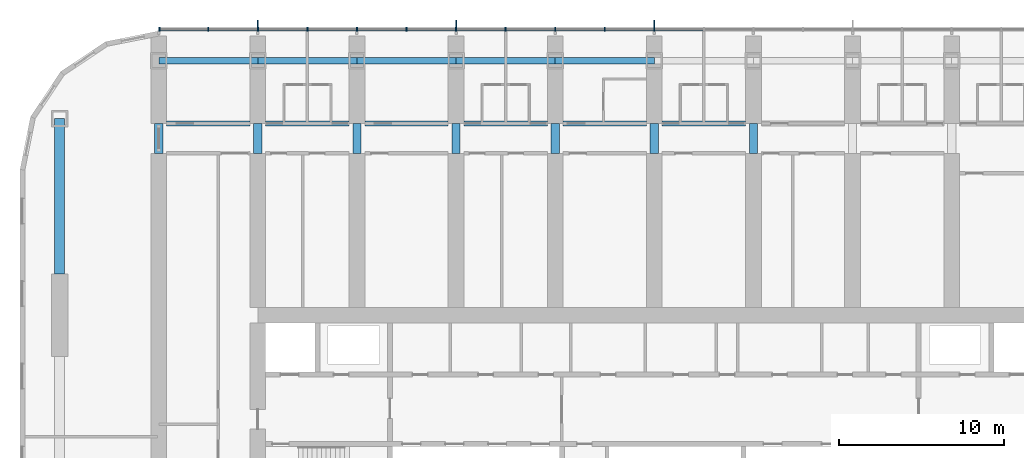
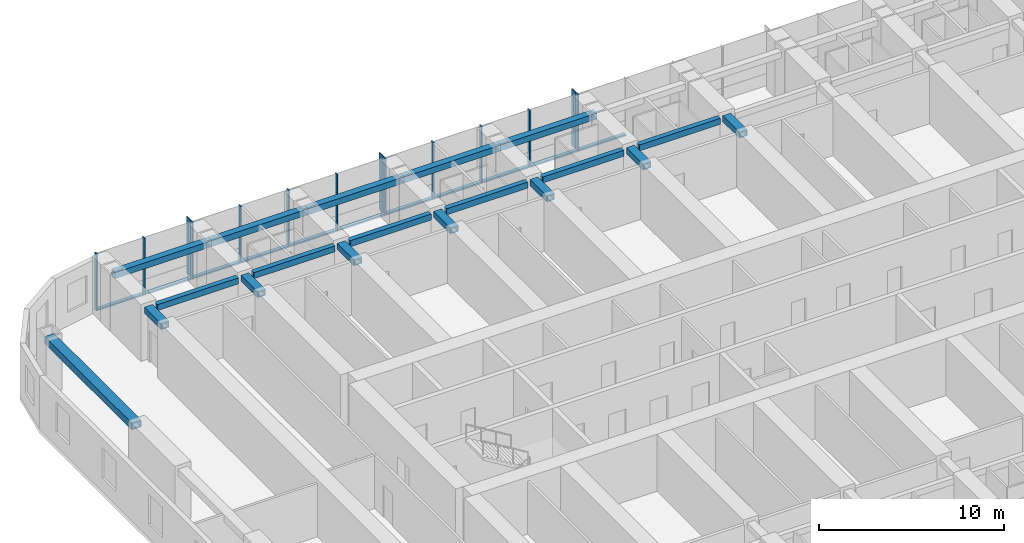
# One storey, part 4 of 21: 25 members, 19 beams, 1 element without a shape of its own.
"""IFC4 building model written with IfcOpenShell, lengths in metres."""

from ifc_helpers import new_model, si_unit, direction, frame, origin, origin_2d, place, context, subcontext, project, spatial, rectangle, hollow_rectangle, extrude, material, material_profile, profile_set, type_object, element, aggregate, save


model = new_model("IFC4")

# Units and contexts
model_context = context("Model", 3, precision=1e-05, world=origin(), true_north=direction((0.0, 1.0)))
body_context = subcontext(model_context, "Body", "Model", "MODEL_VIEW")
ifc_project = project(units=[si_unit("LENGTHUNIT", "METRE"), si_unit("AREAUNIT", "SQUARE_METRE"), si_unit("VOLUMEUNIT", "CUBIC_METRE"), si_unit("PLANEANGLEUNIT", "RADIAN"), si_unit("MASSUNIT", "GRAM", prefix="KILO")], contexts=[model_context])

# Site, building, storey
site_placement = place(None, origin())
site = spatial("IfcSite", under=ifc_project, at=site_placement, CompositionType="ELEMENT")
building_placement = place(site_placement, origin())
building = spatial("IfcBuilding", under=site, at=building_placement, Name="Orbita Commons", CompositionType="ELEMENT")
storey_placement = place(building_placement, frame((0.0, 0.0, 91.89990234375)))
storey = spatial("IfcBuildingStorey", under=building, at=storey_placement, Name="L22", CompositionType="ELEMENT", Elevation=91.89990234375)

# Curtain wall, members
ifc_material_1 = material(Name="Anodised aluminium frame, pale silver", Category="aluminium")
curtain_wall_type = type_object("IfcCurtainWallType", Name="Unitised curtain wall CW-T, vision and spandrel", PredefinedType="NOTDEFINED", material=ifc_material_1)
curtain_wall_placement = place(storey_placement, origin())
curtain_wall = element("IfcCurtainWall", 1, at=curtain_wall_placement, inside=storey, type_object=curtain_wall_type, Name="Curtain wall north L22", PredefinedType="NOTDEFINED")
ifc_material_2 = material(Name="Anodised aluminium, pale silver", Category="aluminium")
ifc_material_profile_1 = material_profile(ifc_material_2, rectangle(XDim=0.080078125, YDim=0.219970703125, at=origin_2d()), Name="AL 80x220")
ifc_profile_set_1 = profile_set([ifc_material_profile_1], Name="Anodised aluminium, pale silver")
member_type_1 = type_object("IfcMemberType", Name="Curtain wall mullion 80x220", PredefinedType="MULLION", material=ifc_profile_set_1)
member_1_placement = place(storey_placement, frame((42.0, 55.510009765625, -0.25), z_axis=(0.0, 0.0, 1.0), x_axis=(-1.0, 0.0, 0.0)))
member_1 = element("IfcMember", 2, at=member_1_placement, type_object=member_type_1, Name="Mullion 9 CW-L22-N", PredefinedType="MULLION", context=body_context, shape_type="SweptSolid", body=[
    extrude(rectangle(XDim=0.080078125, YDim=0.219970703125, at=origin_2d()), origin(), (0.0, 0.0, 1.0), 3.75),
])
member_2_placement = place(storey_placement, frame((39.0, 55.510009765625, -0.25), z_axis=(0.0, 0.0, 1.0), x_axis=(-1.0, 0.0, 0.0)))
member_2 = element("IfcMember", 3, at=member_2_placement, type_object=member_type_1, Name="Mullion 10 CW-L22-N", PredefinedType="MULLION", context=body_context, shape_type="SweptSolid", body=[
    extrude(rectangle(XDim=0.080078125, YDim=0.219970703125, at=origin_2d()), origin(), (0.0, 0.0, 1.0), 3.75),
])
member_3_placement = place(storey_placement, frame((36.0, 55.510009765625, -0.25), z_axis=(0.0, 0.0, 1.0), x_axis=(-1.0, 0.0, 0.0)))
member_3 = element("IfcMember", 4, at=member_3_placement, type_object=member_type_1, Name="Mullion 11 CW-L22-N", PredefinedType="MULLION", context=body_context, shape_type="SweptSolid", body=[
    extrude(rectangle(XDim=0.080078125, YDim=0.219970703125, at=origin_2d()), origin(), (0.0, 0.0, 1.0), 3.75),
])
member_4_placement = place(storey_placement, frame((33.0, 55.510009765625, -0.25), z_axis=(0.0, 0.0, 1.0), x_axis=(-1.0, 0.0, 0.0)))
member_4 = element("IfcMember", 5, at=member_4_placement, type_object=member_type_1, Name="Mullion 12 CW-L22-N", PredefinedType="MULLION", context=body_context, shape_type="SweptSolid", body=[
    extrude(rectangle(XDim=0.080078125, YDim=0.219970703125, at=origin_2d()), origin(), (0.0, 0.0, 1.0), 3.75),
])
member_5_placement = place(storey_placement, frame((30.0, 55.510009765625, -0.25), z_axis=(0.0, 0.0, 1.0), x_axis=(-1.0, 0.0, 0.0)))
member_5 = element("IfcMember", 6, at=member_5_placement, type_object=member_type_1, Name="Mullion 13 CW-L22-N", PredefinedType="MULLION", context=body_context, shape_type="SweptSolid", body=[
    extrude(rectangle(XDim=0.080078125, YDim=0.219970703125, at=origin_2d()), origin(), (0.0, 0.0, 1.0), 3.75),
])
member_6_placement = place(storey_placement, frame((27.0, 55.510009765625, -0.25), z_axis=(0.0, 0.0, 1.0), x_axis=(-1.0, 0.0, 0.0)))
member_6 = element("IfcMember", 7, at=member_6_placement, type_object=member_type_1, Name="Mullion 14 CW-L22-N", PredefinedType="MULLION", context=body_context, shape_type="SweptSolid", body=[
    extrude(rectangle(XDim=0.080078125, YDim=0.219970703125, at=origin_2d()), origin(), (0.0, 0.0, 1.0), 3.75),
])
member_7_placement = place(storey_placement, frame((24.0, 55.510009765625, -0.25), z_axis=(0.0, 0.0, 1.0), x_axis=(-1.0, 0.0, 0.0)))
member_7 = element("IfcMember", 8, at=member_7_placement, type_object=member_type_1, Name="Mullion 15 CW-L22-N", PredefinedType="MULLION", context=body_context, shape_type="SweptSolid", body=[
    extrude(rectangle(XDim=0.080078125, YDim=0.219970703125, at=origin_2d()), origin(), (0.0, 0.0, 1.0), 3.75),
])
member_8_placement = place(storey_placement, frame((21.0, 55.510009765625, -0.25), z_axis=(0.0, 0.0, 1.0), x_axis=(-1.0, 0.0, 0.0)))
member_8 = element("IfcMember", 9, at=member_8_placement, type_object=member_type_1, Name="Mullion 16 CW-L22-N", PredefinedType="MULLION", context=body_context, shape_type="SweptSolid", body=[
    extrude(rectangle(XDim=0.080078125, YDim=0.219970703125, at=origin_2d()), origin(), (0.0, 0.0, 1.0), 3.75),
])
member_9_placement = place(storey_placement, frame((18.0, 55.510009765625, -0.25), z_axis=(0.0, 0.0, 1.0), x_axis=(-1.0, 0.0, 0.0)))
member_9 = element("IfcMember", 10, at=member_9_placement, type_object=member_type_1, Name="Mullion 17 CW-L22-N", PredefinedType="MULLION", context=body_context, shape_type="SweptSolid", body=[
    extrude(rectangle(XDim=0.080078125, YDim=0.219970703125, at=origin_2d()), origin(), (0.0, 0.0, 1.0), 3.75),
])
member_10_placement = place(storey_placement, frame((15.0, 55.510009765625, -0.25), z_axis=(0.0, 0.0, 1.0), x_axis=(-1.0, 0.0, 0.0)))
member_10 = element("IfcMember", 11, at=member_10_placement, type_object=member_type_1, Name="Mullion 18 CW-L22-N", PredefinedType="MULLION", context=body_context, shape_type="SweptSolid", body=[
    extrude(rectangle(XDim=0.080078125, YDim=0.219970703125, at=origin_2d()), origin(), (0.0, 0.0, 1.0), 3.75),
])
member_11_placement = place(storey_placement, frame((12.0400390625, 55.510009765625, -0.25), z_axis=(0.0, 0.0, 1.0), x_axis=(-1.0, 0.0, 0.0)))
member_11 = element("IfcMember", 12, at=member_11_placement, type_object=member_type_1, Name="Mullion 19 CW-L22-N", PredefinedType="MULLION", context=body_context, shape_type="SweptSolid", body=[
    extrude(rectangle(XDim=0.080078125, YDim=0.219970703125, at=origin_2d()), origin(), (0.0, 0.0, 1.0), 3.75),
])
ifc_material_3 = material(Name="Anodised aluminium, pale silver", Category="aluminium")
ifc_material_profile_2 = material_profile(ifc_material_3, rectangle(XDim=0.219970703125, YDim=0.10009765625, at=origin_2d()), Name="AL 220x100")
ifc_profile_set_2 = profile_set([ifc_material_profile_2], Name="Anodised aluminium, pale silver")
member_type_2 = type_object("IfcMemberType", Name="Curtain wall stack transom 220x100", PredefinedType="USERDEFINED", material=ifc_profile_set_2)
member_12_placement = place(storey_placement, frame((44.9599609375, 55.510009765625, -0.199951171875), z_axis=(-1.0, 0.0, 0.0), x_axis=(0.0, -1.0, 0.0)))
member_12 = element("IfcMember", 13, at=member_12_placement, type_object=member_type_2, Name="Transom 8.1 CW-L22-N", ObjectType="TRANSOM", PredefinedType="USERDEFINED", context=body_context, shape_type="SweptSolid", body=[
    extrude(rectangle(XDim=0.219970703125, YDim=0.10009765625, at=origin_2d()), origin(), (0.0, 0.0, 1.0), 2.919921875),
])
member_13_placement = place(storey_placement, frame((41.9599609375, 55.510009765625, -0.199951171875), z_axis=(-1.0, 0.0, 0.0), x_axis=(0.0, -1.0, 0.0)))
member_13 = element("IfcMember", 14, at=member_13_placement, type_object=member_type_2, Name="Transom 9.1 CW-L22-N", ObjectType="TRANSOM", PredefinedType="USERDEFINED", context=body_context, shape_type="SweptSolid", body=[
    extrude(rectangle(XDim=0.219970703125, YDim=0.10009765625, at=origin_2d()), origin(), (0.0, 0.0, 1.0), 2.919921875),
])
member_14_placement = place(storey_placement, frame((38.9599609375, 55.510009765625, -0.199951171875), z_axis=(-1.0, 0.0, 0.0), x_axis=(0.0, -1.0, 0.0)))
member_14 = element("IfcMember", 15, at=member_14_placement, type_object=member_type_2, Name="Transom 10.1 CW-L22-N", ObjectType="TRANSOM", PredefinedType="USERDEFINED", context=body_context, shape_type="SweptSolid", body=[
    extrude(rectangle(XDim=0.219970703125, YDim=0.10009765625, at=origin_2d()), origin(), (0.0, 0.0, 1.0), 2.919921875),
])
member_15_placement = place(storey_placement, frame((35.9599609375, 55.510009765625, -0.199951171875), z_axis=(-1.0, 0.0, 0.0), x_axis=(0.0, -1.0, 0.0)))
member_15 = element("IfcMember", 16, at=member_15_placement, type_object=member_type_2, Name="Transom 11.1 CW-L22-N", ObjectType="TRANSOM", PredefinedType="USERDEFINED", context=body_context, shape_type="SweptSolid", body=[
    extrude(rectangle(XDim=0.219970703125, YDim=0.10009765625, at=origin_2d()), origin(), (0.0, 0.0, 1.0), 2.919921875),
])
member_16_placement = place(storey_placement, frame((32.9599609375, 55.510009765625, -0.199951171875), z_axis=(-1.0, 0.0, 0.0), x_axis=(0.0, -1.0, 0.0)))
member_16 = element("IfcMember", 17, at=member_16_placement, type_object=member_type_2, Name="Transom 12.1 CW-L22-N", ObjectType="TRANSOM", PredefinedType="USERDEFINED", context=body_context, shape_type="SweptSolid", body=[
    extrude(rectangle(XDim=0.219970703125, YDim=0.10009765625, at=origin_2d()), origin(), (0.0, 0.0, 1.0), 2.919921875),
])
member_17_placement = place(storey_placement, frame((29.9599609375, 55.510009765625, -0.199951171875), z_axis=(-1.0, 0.0, 0.0), x_axis=(0.0, -1.0, 0.0)))
member_17 = element("IfcMember", 18, at=member_17_placement, type_object=member_type_2, Name="Transom 13.1 CW-L22-N", ObjectType="TRANSOM", PredefinedType="USERDEFINED", context=body_context, shape_type="SweptSolid", body=[
    extrude(rectangle(XDim=0.219970703125, YDim=0.10009765625, at=origin_2d()), origin(), (0.0, 0.0, 1.0), 2.919921875),
])
member_18_placement = place(storey_placement, frame((26.9599609375, 55.510009765625, -0.199951171875), z_axis=(-1.0, 0.0, 0.0), x_axis=(0.0, -1.0, 0.0)))
member_18 = element("IfcMember", 19, at=member_18_placement, type_object=member_type_2, Name="Transom 14.1 CW-L22-N", ObjectType="TRANSOM", PredefinedType="USERDEFINED", context=body_context, shape_type="SweptSolid", body=[
    extrude(rectangle(XDim=0.219970703125, YDim=0.10009765625, at=origin_2d()), origin(), (0.0, 0.0, 1.0), 2.919921875),
])
member_19_placement = place(storey_placement, frame((23.9599609375, 55.510009765625, -0.199951171875), z_axis=(-1.0, 0.0, 0.0), x_axis=(0.0, -1.0, 0.0)))
member_19 = element("IfcMember", 20, at=member_19_placement, type_object=member_type_2, Name="Transom 15.1 CW-L22-N", ObjectType="TRANSOM", PredefinedType="USERDEFINED", context=body_context, shape_type="SweptSolid", body=[
    extrude(rectangle(XDim=0.219970703125, YDim=0.10009765625, at=origin_2d()), origin(), (0.0, 0.0, 1.0), 2.919921875),
])
member_20_placement = place(storey_placement, frame((20.9599609375, 55.510009765625, -0.199951171875), z_axis=(-1.0, 0.0, 0.0), x_axis=(0.0, -1.0, 0.0)))
member_20 = element("IfcMember", 21, at=member_20_placement, type_object=member_type_2, Name="Transom 16.1 CW-L22-N", ObjectType="TRANSOM", PredefinedType="USERDEFINED", context=body_context, shape_type="SweptSolid", body=[
    extrude(rectangle(XDim=0.219970703125, YDim=0.10009765625, at=origin_2d()), origin(), (0.0, 0.0, 1.0), 2.919921875),
])
member_21_placement = place(storey_placement, frame((17.9599609375, 55.510009765625, -0.199951171875), z_axis=(-1.0, 0.0, 0.0), x_axis=(0.0, -1.0, 0.0)))
member_21 = element("IfcMember", 22, at=member_21_placement, type_object=member_type_2, Name="Transom 17.1 CW-L22-N", ObjectType="TRANSOM", PredefinedType="USERDEFINED", context=body_context, shape_type="SweptSolid", body=[
    extrude(rectangle(XDim=0.219970703125, YDim=0.10009765625, at=origin_2d()), origin(), (0.0, 0.0, 1.0), 2.919921875),
])
member_22_placement = place(storey_placement, frame((14.9599609375, 55.510009765625, -0.199951171875), z_axis=(-1.0, 0.0, 0.0), x_axis=(0.0, -1.0, 0.0)))
member_22 = element("IfcMember", 23, at=member_22_placement, type_object=member_type_2, Name="Transom 18.1 CW-L22-N", ObjectType="TRANSOM", PredefinedType="USERDEFINED", context=body_context, shape_type="SweptSolid", body=[
    extrude(rectangle(XDim=0.219970703125, YDim=0.10009765625, at=origin_2d()), origin(), (0.0, 0.0, 1.0), 2.8798828125),
])

# Beams
ifc_material_4 = material(Name="Steel ASTM A572 Gr 50 welded plate", Category="steel")
ifc_material_profile_3 = material_profile(ifc_material_4, hollow_rectangle(XDim=0.300048828125, YDim=0.39990234375, WallThickness=0.0400390625, at=origin_2d()), Name="BOX 400x300x40")
ifc_profile_set_3 = profile_set([ifc_material_profile_3], Name="Steel ASTM A572 Gr 50 welded plate")
beam_type_1 = type_object("IfcBeamType", Name="Steel corridor link BOX 400x300x40", PredefinedType="BEAM", material=ifc_profile_set_3)
for number, where, z_axis, x_axis, name in (
    (24, (12.47509765625, 49.800048828125, 3.300048828125), (1.0, 0.0, 0.0), (0.0, 1.0, 0.0), "Corridor beam NB 3-4 L22"),
    (25, (18.47509765625, 49.800048828125, 3.300048828125), (1.0, 0.0, 0.0), (0.0, 1.0, 0.0), "Corridor beam NB 4-5 L22"),
    (26, (24.47509765625, 49.800048828125, 3.300048828125), (1.0, 0.0, 0.0), (0.0, 1.0, 0.0), "Corridor beam NB 5-6 L22"),
    (27, (30.47509765625, 49.800048828125, 3.300048828125), (1.0, 0.0, 0.0), (0.0, 1.0, 0.0), "Corridor beam NB 6-7 L22"),
    (28, (36.47509765625, 49.800048828125, 3.300048828125), (1.0, 0.0, 0.0), (0.0, 1.0, 0.0), "Corridor beam NB 7-8 L22"),
    (29, (42.47509765625, 49.800048828125, 3.300048828125), (1.0, 0.0, 0.0), (0.0, 1.0, 0.0), "Corridor beam NB 8-9 L22"),
):
    element("IfcBeam", number, at=place(storey_placement, frame(where, z_axis=z_axis, x_axis=x_axis)), inside=storey, type_object=beam_type_1, Name=name, PredefinedType="BEAM", context=body_context, shape_type="SweptSolid", body=[
        extrude(hollow_rectangle(XDim=0.300048828125, YDim=0.39990234375, WallThickness=0.0400390625, at=origin_2d()), origin(), (0.0, 0.0, 1.0), 5.0498046875),
    ])
ifc_material_5 = material(Name="Steel ASTM A572 Gr 50 welded plate", Category="steel")
ifc_material_profile_4 = material_profile(ifc_material_5, hollow_rectangle(XDim=0.5, YDim=0.39990234375, WallThickness=0.050048828125, at=origin_2d()), Name="BOX 400x500x50")
ifc_profile_set_4 = profile_set([ifc_material_profile_4], Name="Steel ASTM A572 Gr 50 welded plate")
beam_type_2 = type_object("IfcBeamType", Name="Steel coupling link BOX 400x500x50", PredefinedType="LINTEL", material=ifc_profile_set_4)
for number, where, z_axis, x_axis, name in (
    (30, (12.0, 48.0, 3.300048828125), (0.0, 1.0, 0.0), (-1.0, 0.0, 0.0), "Coupling beam 3 north L22"),
    (31, (18.0, 48.0, 3.300048828125), (0.0, 1.0, 0.0), (-1.0, 0.0, 0.0), "Coupling beam 4 north L22"),
    (32, (24.0, 48.0, 3.300048828125), (0.0, 1.0, 0.0), (-1.0, 0.0, 0.0), "Coupling beam 5 north L22"),
    (33, (30.0, 48.0, 3.300048828125), (0.0, 1.0, 0.0), (-1.0, 0.0, 0.0), "Coupling beam 6 north L22"),
    (34, (36.0, 48.0, 3.300048828125), (0.0, 1.0, 0.0), (-1.0, 0.0, 0.0), "Coupling beam 7 north L22"),
    (35, (42.0, 48.0, 3.300048828125), (0.0, 1.0, 0.0), (-1.0, 0.0, 0.0), "Coupling beam 8 north L22"),
    (36, (48.0, 48.0, 3.300048828125), (0.0, 1.0, 0.0), (-1.0, 0.0, 0.0), "Coupling beam 9 north L22"),
):
    element("IfcBeam", number, at=place(storey_placement, frame(where, z_axis=z_axis, x_axis=x_axis)), inside=storey, type_object=beam_type_2, Name=name, PredefinedType="LINTEL", context=body_context, shape_type="SweptSolid", body=[
        extrude(hollow_rectangle(XDim=0.5, YDim=0.39990234375, WallThickness=0.050048828125, at=origin_2d()), origin(), (0.0, 0.0, 1.0), 1.800048828125),
    ])
ifc_material_6 = material(Name="Steel ASTM A572 Gr 50 welded plate", Category="steel")
ifc_material_profile_5 = material_profile(ifc_material_6, hollow_rectangle(XDim=0.60009765625, YDim=0.449951171875, WallThickness=0.06005859375, at=origin_2d()), Name="BOX 450x600x60")
ifc_profile_set_5 = profile_set([ifc_material_profile_5], Name="Steel ASTM A572 Gr 50 welded plate")
beam_type_3 = type_object("IfcBeamType", Name="Steel end frame link BOX 450x600x60", PredefinedType="BEAM", material=ifc_profile_set_5)
beam_placement = place(storey_placement, frame((6.0, 40.699951171875, 3.275146484375), z_axis=(0.0, 1.0, 0.0), x_axis=(-1.0, 0.0, 0.0)))
element("IfcBeam", 37, at=beam_placement, inside=storey, type_object=beam_type_3, Name="End frame beam 2 D-E L22", PredefinedType="BEAM", context=body_context, shape_type="SweptSolid", body=[
    extrude(hollow_rectangle(XDim=0.60009765625, YDim=0.449951171875, WallThickness=0.06005859375, at=origin_2d()), origin(), (0.0, 0.0, 1.0), 9.400146484375),
])
ifc_material_7 = material(Name="Steel ASTM A572 Gr 50 welded plate", Category="steel")
ifc_material_profile_6 = material_profile(ifc_material_7, hollow_rectangle(XDim=0.39990234375, YDim=0.39990234375, WallThickness=0.0400390625, at=origin_2d()), Name="BOX 400x400x40")
ifc_profile_set_6 = profile_set([ifc_material_profile_6], Name="Steel ASTM A572 Gr 50 welded plate")
beam_type_4 = type_object("IfcBeamType", Name="Steel spandrel BOX 400x400x40", PredefinedType="SPANDREL", material=ifc_profile_set_6)
for number, where, z_axis, x_axis, name in (
    (38, (12.0, 53.60009765625, 3.300048828125), (1.0, 0.0, 0.0), (0.0, 1.0, 0.0), "Spandrel beam E 3-4 L22"),
    (39, (18.0, 53.60009765625, 3.300048828125), (1.0, 0.0, 0.0), (0.0, 1.0, 0.0), "Spandrel beam E 4-5 L22"),
    (40, (24.0, 53.60009765625, 3.300048828125), (1.0, 0.0, 0.0), (0.0, 1.0, 0.0), "Spandrel beam E 5-6 L22"),
    (41, (30.0, 53.60009765625, 3.300048828125), (1.0, 0.0, 0.0), (0.0, 1.0, 0.0), "Spandrel beam E 6-7 L22"),
    (42, (36.0, 53.60009765625, 3.300048828125), (1.0, 0.0, 0.0), (0.0, 1.0, 0.0), "Spandrel beam E 7-8 L22"),
):
    element("IfcBeam", number, at=place(storey_placement, frame(where, z_axis=z_axis, x_axis=x_axis)), inside=storey, type_object=beam_type_4, Name=name, PredefinedType="SPANDREL", context=body_context, shape_type="SweptSolid", body=[
        extrude(hollow_rectangle(XDim=0.39990234375, YDim=0.39990234375, WallThickness=0.0400390625, at=origin_2d()), origin(), (0.0, 0.0, 1.0), 6.0),
    ])

# Member
ifc_material_8 = material(Name="Anodised aluminium, pale silver", Category="aluminium")
ifc_material_profile_7 = material_profile(ifc_material_8, rectangle(XDim=0.06005859375, YDim=0.449951171875, at=origin_2d()), Name="FIN 60x450")
ifc_profile_set_7 = profile_set([ifc_material_profile_7], Name="Anodised aluminium, pale silver")
member_type_3 = type_object("IfcMemberType", Name="Vertical fin 60x450 pale aluminium", PredefinedType="USERDEFINED", material=ifc_profile_set_7)
member_23_placement = place(storey_placement, frame((42.0, 55.844970703125, -0.25), z_axis=(0.0, 0.0, 1.0), x_axis=(-1.0, 0.0, 0.0)))
member_23 = element("IfcMember", 43, at=member_23_placement, type_object=member_type_3, Name="Fin 9 CW-L22-N", ObjectType="FIN", PredefinedType="USERDEFINED", context=body_context, shape_type="SweptSolid", body=[
    extrude(rectangle(XDim=0.06005859375, YDim=0.449951171875, at=origin_2d()), origin(), (0.0, 0.0, 1.0), 3.75),
])

member_24_placement = place(storey_placement, frame((30.0, 55.844970703125, -0.25), z_axis=(0.0, 0.0, 1.0), x_axis=(-1.0, 0.0, 0.0)))
member_24 = element("IfcMember", 44, at=member_24_placement, type_object=member_type_3, Name="Fin 13 CW-L22-N", ObjectType="FIN", PredefinedType="USERDEFINED", context=body_context, shape_type="SweptSolid", body=[
    extrude(rectangle(XDim=0.06005859375, YDim=0.449951171875, at=origin_2d()), origin(), (0.0, 0.0, 1.0), 3.75),
])

member_25_placement = place(storey_placement, frame((18.0, 55.844970703125, -0.25), z_axis=(0.0, 0.0, 1.0), x_axis=(-1.0, 0.0, 0.0)))
member_25 = element("IfcMember", 45, at=member_25_placement, type_object=member_type_3, Name="Fin 17 CW-L22-N", ObjectType="FIN", PredefinedType="USERDEFINED", context=body_context, shape_type="SweptSolid", body=[
    extrude(rectangle(XDim=0.06005859375, YDim=0.449951171875, at=origin_2d()), origin(), (0.0, 0.0, 1.0), 3.75),
])

aggregate(curtain_wall, [member_1, member_23, member_2, member_3, member_4, member_5, member_24, member_6, member_7, member_8, member_9, member_25, member_10, member_11, member_12, member_13, member_14, member_15, member_16, member_17, member_18, member_19, member_20, member_21, member_22])

save(model, "model.ifc")
